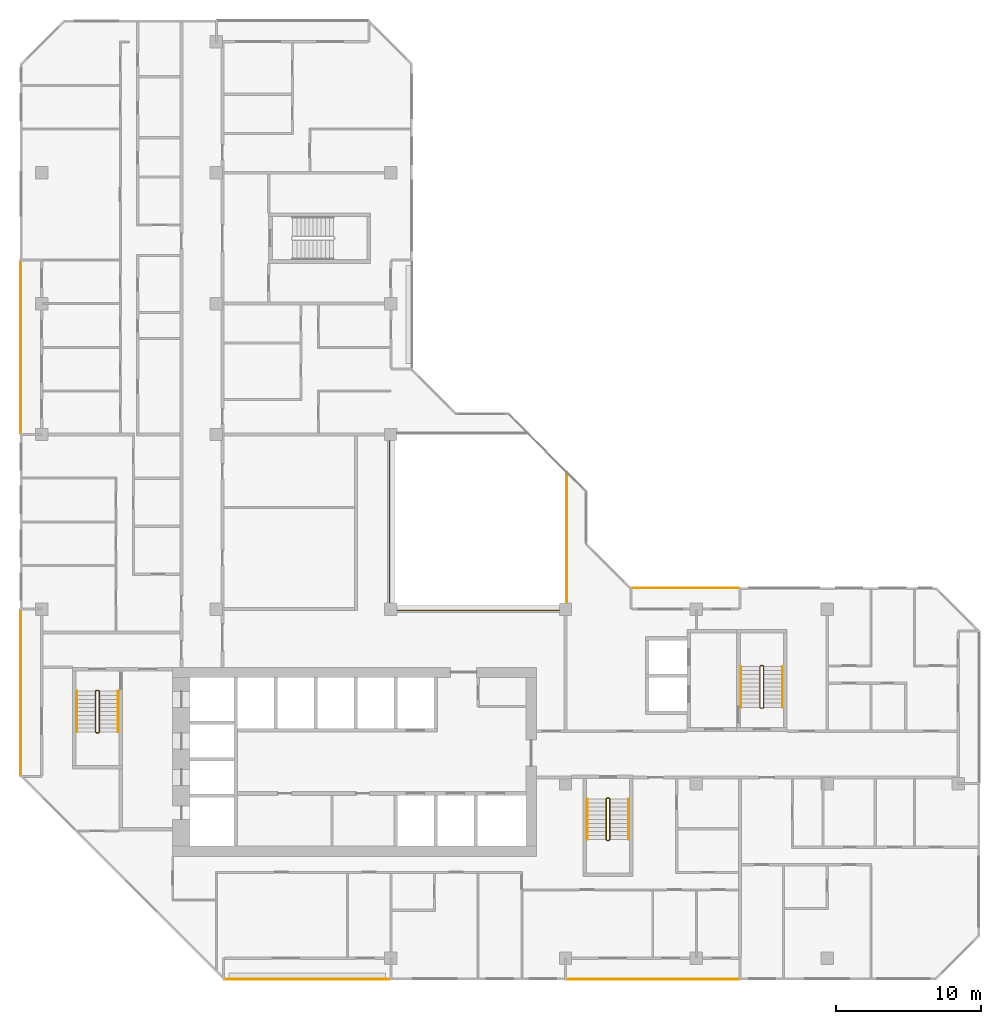
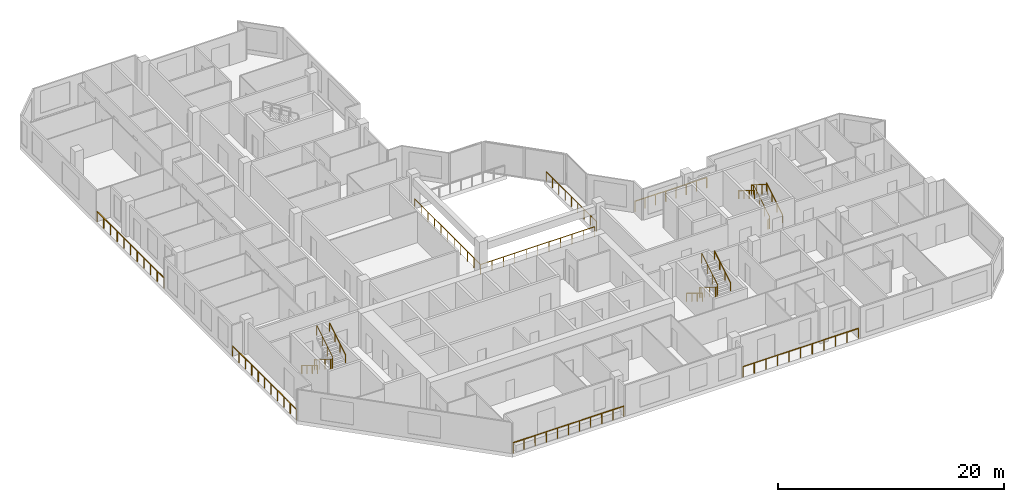
# One storey, part 14 of 15: 16 railings.
"""IFC4 building model written with IfcOpenShell, lengths in metres."""

from ifc_helpers import new_model, si_unit, direction, frame, origin, origin_2d, place, context, subcontext, project, spatial, rectangle, extrude, material, type_object, element, save


model = new_model("IFC4")

# Units and contexts
model_context = context("Model", 3, precision=1e-05, world=origin(), true_north=direction((0.0, 1.0)))
body_context = subcontext(model_context, "Body", "Model", "MODEL_VIEW")
ifc_project = project(units=[si_unit("LENGTHUNIT", "METRE"), si_unit("AREAUNIT", "SQUARE_METRE"), si_unit("VOLUMEUNIT", "CUBIC_METRE"), si_unit("PLANEANGLEUNIT", "RADIAN"), si_unit("MASSUNIT", "GRAM", prefix="KILO")], contexts=[model_context])

# Site, building, storey
site_placement = place(None, origin())
site = spatial("IfcSite", under=ifc_project, at=site_placement, CompositionType="ELEMENT")
building_placement = place(site_placement, origin())
building = spatial("IfcBuilding", under=site, at=building_placement, Name="Chenar Terraces", CompositionType="ELEMENT")
storey_placement = place(building_placement, frame((0.0, 0.0, 249.14990234375)))
storey = spatial("IfcBuildingStorey", under=building, at=storey_placement, Name="L59", CompositionType="ELEMENT", Elevation=249.14990234375)

# Railings
ifc_material_1 = material(Name="Powder-coated steel", Category="steel")
railing_type_1 = type_object("IfcRailingType", Name="Guard 1100 steel rail with glass infill", PredefinedType="GUARDRAIL", material=ifc_material_1)
railing_1_placement = place(storey_placement, frame((23.89990234375, 35.574951171875, 0.0)))
element("IfcRailing", 1, at=railing_1_placement, inside=storey, type_object=railing_type_1, Name="Guard L59-1", PredefinedType="GUARDRAIL", context=body_context, shape_type="SweptSolid", body=[
    extrude(rectangle(XDim=0.06005859375, YDim=0.06005859375, at=origin_2d()), frame((0.0, 0.0, 1.070068359375), z_axis=(0.0, -1.0, 0.0), x_axis=(1.0, 0.0, 0.0)), (0.0, 0.0, 1.0), 11.675048828125),
    extrude(rectangle(XDim=0.06005859375, YDim=0.06005859375, at=origin_2d()), frame((0.0, -11.675048828125, 1.070068359375), z_axis=(1.0, 0.0, 0.0), x_axis=(0.0, 1.0, 0.0)), (0.0, 0.0, 1.0), 11.675048828125),
    extrude(rectangle(XDim=0.050048828125, YDim=0.050048828125, at=origin_2d()), origin(), (0.0, 0.0, 1.0), 1.0400390625),
    extrude(rectangle(XDim=0.050048828125, YDim=0.050048828125, at=origin_2d()), frame((0.0, -1.16748046875, 0.0)), (0.0, 0.0, 1.0), 1.0400390625),
    extrude(rectangle(XDim=0.050048828125, YDim=0.050048828125, at=origin_2d()), frame((0.0, -2.3349609375, 0.0)), (0.0, 0.0, 1.0), 1.0400390625),
    extrude(rectangle(XDim=0.050048828125, YDim=0.050048828125, at=origin_2d()), frame((0.0, -3.50244140625, 0.0)), (0.0, 0.0, 1.0), 1.0400390625),
    extrude(rectangle(XDim=0.050048828125, YDim=0.050048828125, at=origin_2d()), frame((0.0, -4.669921875, 0.0)), (0.0, 0.0, 1.0), 1.0400390625),
    extrude(rectangle(XDim=0.050048828125, YDim=0.050048828125, at=origin_2d()), frame((0.0, -5.83740234375, 0.0)), (0.0, 0.0, 1.0), 1.0400390625),
    extrude(rectangle(XDim=0.050048828125, YDim=0.050048828125, at=origin_2d()), frame((0.0, -7.005126953125, 0.0)), (0.0, 0.0, 1.0), 1.0400390625),
    extrude(rectangle(XDim=0.050048828125, YDim=0.050048828125, at=origin_2d()), frame((0.0, -8.172607421875, 0.0)), (0.0, 0.0, 1.0), 1.0400390625),
    extrude(rectangle(XDim=0.050048828125, YDim=0.050048828125, at=origin_2d()), frame((0.0, -9.340087890625, 0.0)), (0.0, 0.0, 1.0), 1.0400390625),
    extrude(rectangle(XDim=0.050048828125, YDim=0.050048828125, at=origin_2d()), frame((0.0, -10.507568359375, 0.0)), (0.0, 0.0, 1.0), 1.0400390625),
    extrude(rectangle(XDim=0.050048828125, YDim=0.050048828125, at=origin_2d()), frame((0.0, -11.675048828125, 0.0)), (0.0, 0.0, 1.0), 1.0400390625),
    extrude(rectangle(XDim=0.050048828125, YDim=0.050048828125, at=origin_2d()), frame((1.16748046875, -11.675048828125, 0.0)), (0.0, 0.0, 1.0), 1.0400390625),
    extrude(rectangle(XDim=0.050048828125, YDim=0.050048828125, at=origin_2d()), frame((2.3349609375, -11.675048828125, 0.0)), (0.0, 0.0, 1.0), 1.0400390625),
    extrude(rectangle(XDim=0.050048828125, YDim=0.050048828125, at=origin_2d()), frame((3.50244140625, -11.675048828125, 0.0)), (0.0, 0.0, 1.0), 1.0400390625),
    extrude(rectangle(XDim=0.050048828125, YDim=0.050048828125, at=origin_2d()), frame((4.669921875, -11.675048828125, 0.0)), (0.0, 0.0, 1.0), 1.0400390625),
    extrude(rectangle(XDim=0.050048828125, YDim=0.050048828125, at=origin_2d()), frame((5.83740234375, -11.675048828125, 0.0)), (0.0, 0.0, 1.0), 1.0400390625),
    extrude(rectangle(XDim=0.050048828125, YDim=0.050048828125, at=origin_2d()), frame((7.005126953125, -11.675048828125, 0.0)), (0.0, 0.0, 1.0), 1.0400390625),
    extrude(rectangle(XDim=0.050048828125, YDim=0.050048828125, at=origin_2d()), frame((8.172607421875, -11.675048828125, 0.0)), (0.0, 0.0, 1.0), 1.0400390625),
    extrude(rectangle(XDim=0.050048828125, YDim=0.050048828125, at=origin_2d()), frame((9.340087890625, -11.675048828125, 0.0)), (0.0, 0.0, 1.0), 1.0400390625),
    extrude(rectangle(XDim=0.050048828125, YDim=0.050048828125, at=origin_2d()), frame((10.507568359375, -11.675048828125, 0.0)), (0.0, 0.0, 1.0), 1.0400390625),
    extrude(rectangle(XDim=0.050048828125, YDim=0.050048828125, at=origin_2d()), frame((11.675048828125, -11.675048828125, 0.0)), (0.0, 0.0, 1.0), 1.0400390625),
])
railing_2_placement = place(storey_placement, frame((36.10009765625, 24.47509765625, 0.0)))
element("IfcRailing", 2, at=railing_2_placement, inside=storey, type_object=railing_type_1, Name="Guard L59-3", PredefinedType="GUARDRAIL", context=body_context, shape_type="SweptSolid", body=[
    extrude(rectangle(XDim=0.06005859375, YDim=0.06005859375, at=origin_2d()), frame((0.0, 0.0, 1.070068359375), z_axis=(0.0, 1.0, 0.0), x_axis=(-1.0, 0.0, 0.0)), (0.0, 0.0, 1.0), 8.9248046875),
    extrude(rectangle(XDim=0.050048828125, YDim=0.050048828125, at=origin_2d()), origin(), (0.0, 0.0, 1.0), 1.0400390625),
    extrude(rectangle(XDim=0.050048828125, YDim=0.050048828125, at=origin_2d()), frame((0.0, 1.11572265625, 0.0)), (0.0, 0.0, 1.0), 1.0400390625),
    extrude(rectangle(XDim=0.050048828125, YDim=0.050048828125, at=origin_2d()), frame((0.0, 2.231201171875, 0.0)), (0.0, 0.0, 1.0), 1.0400390625),
    extrude(rectangle(XDim=0.050048828125, YDim=0.050048828125, at=origin_2d()), frame((0.0, 3.3466796875, 0.0)), (0.0, 0.0, 1.0), 1.0400390625),
    extrude(rectangle(XDim=0.050048828125, YDim=0.050048828125, at=origin_2d()), frame((0.0, 4.46240234375, 0.0)), (0.0, 0.0, 1.0), 1.0400390625),
    extrude(rectangle(XDim=0.050048828125, YDim=0.050048828125, at=origin_2d()), frame((0.0, 5.578125, 0.0)), (0.0, 0.0, 1.0), 1.0400390625),
    extrude(rectangle(XDim=0.050048828125, YDim=0.050048828125, at=origin_2d()), frame((0.0, 6.693603515625, 0.0)), (0.0, 0.0, 1.0), 1.0400390625),
    extrude(rectangle(XDim=0.050048828125, YDim=0.050048828125, at=origin_2d()), frame((0.0, 7.80908203125, 0.0)), (0.0, 0.0, 1.0), 1.0400390625),
    extrude(rectangle(XDim=0.050048828125, YDim=0.050048828125, at=origin_2d()), frame((0.0, 8.9248046875, 0.0)), (0.0, 0.0, 1.0), 1.0400390625),
])
ifc_material_2 = material(Name="Stainless steel and glass", Category="steel")
railing_type_2 = type_object("IfcRailingType", Name="Loggia guard 1150", PredefinedType="GUARDRAIL", material=ifc_material_2)
railing_3_placement = place(storey_placement, frame((47.925048828125, 25.449951171875, 0.0)))
element("IfcRailing", 3, at=railing_3_placement, inside=storey, type_object=railing_type_2, Name="Loggia guard", PredefinedType="GUARDRAIL", context=body_context, shape_type="SweptSolid", body=[
    extrude(rectangle(XDim=0.048095703125, YDim=0.048095703125, at=origin_2d()), frame((0.0, 0.0, 1.1259765625), z_axis=(-1.0, 0.0, 0.0), x_axis=(0.0, -1.0, 0.0)), (0.0, 0.0, 1.0), 7.35009765625),
    extrude(rectangle(XDim=0.0419921875, YDim=0.0419921875, at=origin_2d()), origin(), (0.0, 0.0, 1.0), 1.101806640625),
    extrude(rectangle(XDim=0.0419921875, YDim=0.0419921875, at=origin_2d()), frame((-1.050048828125, 0.0, 0.0)), (0.0, 0.0, 1.0), 1.101806640625),
    extrude(rectangle(XDim=0.0419921875, YDim=0.0419921875, at=origin_2d()), frame((-2.10009765625, 0.0, 0.0)), (0.0, 0.0, 1.0), 1.101806640625),
    extrude(rectangle(XDim=0.0419921875, YDim=0.0419921875, at=origin_2d()), frame((-3.150146484375, 0.0, 0.0)), (0.0, 0.0, 1.0), 1.101806640625),
    extrude(rectangle(XDim=0.0419921875, YDim=0.0419921875, at=origin_2d()), frame((-4.199951171875, 0.0, 0.0)), (0.0, 0.0, 1.0), 1.101806640625),
    extrude(rectangle(XDim=0.0419921875, YDim=0.0419921875, at=origin_2d()), frame((-5.25, 0.0, 0.0)), (0.0, 0.0, 1.0), 1.101806640625),
    extrude(rectangle(XDim=0.0419921875, YDim=0.0419921875, at=origin_2d()), frame((-6.300048828125, 0.0, 0.0)), (0.0, 0.0, 1.0), 1.101806640625),
    extrude(rectangle(XDim=0.0419921875, YDim=0.0419921875, at=origin_2d()), frame((-7.35009765625, 0.0, 0.0)), (0.0, 0.0, 1.0), 1.101806640625),
])
railing_4_placement = place(storey_placement, frame((12.574951171875, -1.449951171875, 0.0)))
element("IfcRailing", 4, at=railing_4_placement, inside=storey, type_object=railing_type_2, Name="Loggia guard", PredefinedType="GUARDRAIL", context=body_context, shape_type="SweptSolid", body=[
    extrude(rectangle(XDim=0.048095703125, YDim=0.048095703125, at=origin_2d()), frame((0.0, 0.0, 1.1259765625), z_axis=(1.0, 0.0, 0.0), x_axis=(0.0, 1.0, 0.0)), (0.0, 0.0, 1.0), 11.35009765625),
    extrude(rectangle(XDim=0.0419921875, YDim=0.0419921875, at=origin_2d()), origin(), (0.0, 0.0, 1.0), 1.101806640625),
    extrude(rectangle(XDim=0.0419921875, YDim=0.0419921875, at=origin_2d()), frame((1.135009765625, 0.0, 0.0)), (0.0, 0.0, 1.0), 1.101806640625),
    extrude(rectangle(XDim=0.0419921875, YDim=0.0419921875, at=origin_2d()), frame((2.27001953125, 0.0, 0.0)), (0.0, 0.0, 1.0), 1.101806640625),
    extrude(rectangle(XDim=0.0419921875, YDim=0.0419921875, at=origin_2d()), frame((3.405029296875, 0.0, 0.0)), (0.0, 0.0, 1.0), 1.101806640625),
    extrude(rectangle(XDim=0.0419921875, YDim=0.0419921875, at=origin_2d()), frame((4.5400390625, 0.0, 0.0)), (0.0, 0.0, 1.0), 1.101806640625),
    extrude(rectangle(XDim=0.0419921875, YDim=0.0419921875, at=origin_2d()), frame((5.675048828125, 0.0, 0.0)), (0.0, 0.0, 1.0), 1.101806640625),
    extrude(rectangle(XDim=0.0419921875, YDim=0.0419921875, at=origin_2d()), frame((6.81005859375, 0.0, 0.0)), (0.0, 0.0, 1.0), 1.101806640625),
    extrude(rectangle(XDim=0.0419921875, YDim=0.0419921875, at=origin_2d()), frame((7.945068359375, 0.0, 0.0)), (0.0, 0.0, 1.0), 1.101806640625),
    extrude(rectangle(XDim=0.0419921875, YDim=0.0419921875, at=origin_2d()), frame((9.080078125, 0.0, 0.0)), (0.0, 0.0, 1.0), 1.101806640625),
    extrude(rectangle(XDim=0.0419921875, YDim=0.0419921875, at=origin_2d()), frame((10.215087890625, 0.0, 0.0)), (0.0, 0.0, 1.0), 1.101806640625),
    extrude(rectangle(XDim=0.0419921875, YDim=0.0419921875, at=origin_2d()), frame((11.35009765625, 0.0, 0.0)), (0.0, 0.0, 1.0), 1.101806640625),
])
railing_5_placement = place(storey_placement, frame((36.074951171875, -1.449951171875, 0.0)))
element("IfcRailing", 5, at=railing_5_placement, inside=storey, type_object=railing_type_2, Name="Loggia guard", PredefinedType="GUARDRAIL", context=body_context, shape_type="SweptSolid", body=[
    extrude(rectangle(XDim=0.048095703125, YDim=0.048095703125, at=origin_2d()), frame((0.0, 0.0, 1.1259765625), z_axis=(1.0, 0.0, 0.0), x_axis=(0.0, 1.0, 0.0)), (0.0, 0.0, 1.0), 11.85009765625),
    extrude(rectangle(XDim=0.0419921875, YDim=0.0419921875, at=origin_2d()), origin(), (0.0, 0.0, 1.0), 1.101806640625),
    extrude(rectangle(XDim=0.0419921875, YDim=0.0419921875, at=origin_2d()), frame((1.18505859375, 0.0, 0.0)), (0.0, 0.0, 1.0), 1.101806640625),
    extrude(rectangle(XDim=0.0419921875, YDim=0.0419921875, at=origin_2d()), frame((2.3701171875, 0.0, 0.0)), (0.0, 0.0, 1.0), 1.101806640625),
    extrude(rectangle(XDim=0.0419921875, YDim=0.0419921875, at=origin_2d()), frame((3.554931640625, 0.0, 0.0)), (0.0, 0.0, 1.0), 1.101806640625),
    extrude(rectangle(XDim=0.0419921875, YDim=0.0419921875, at=origin_2d()), frame((4.739990234375, 0.0, 0.0)), (0.0, 0.0, 1.0), 1.101806640625),
    extrude(rectangle(XDim=0.0419921875, YDim=0.0419921875, at=origin_2d()), frame((5.925048828125, 0.0, 0.0)), (0.0, 0.0, 1.0), 1.101806640625),
    extrude(rectangle(XDim=0.0419921875, YDim=0.0419921875, at=origin_2d()), frame((7.110107421875, 0.0, 0.0)), (0.0, 0.0, 1.0), 1.101806640625),
    extrude(rectangle(XDim=0.0419921875, YDim=0.0419921875, at=origin_2d()), frame((8.295166015625, 0.0, 0.0)), (0.0, 0.0, 1.0), 1.101806640625),
    extrude(rectangle(XDim=0.0419921875, YDim=0.0419921875, at=origin_2d()), frame((9.47998046875, 0.0, 0.0)), (0.0, 0.0, 1.0), 1.101806640625),
    extrude(rectangle(XDim=0.0419921875, YDim=0.0419921875, at=origin_2d()), frame((10.6650390625, 0.0, 0.0)), (0.0, 0.0, 1.0), 1.101806640625),
    extrude(rectangle(XDim=0.0419921875, YDim=0.0419921875, at=origin_2d()), frame((11.85009765625, 0.0, 0.0)), (0.0, 0.0, 1.0), 1.101806640625),
])
railing_6_placement = place(storey_placement, frame((-1.449951171875, 47.925048828125, 0.0)))
element("IfcRailing", 6, at=railing_6_placement, inside=storey, type_object=railing_type_2, Name="Loggia guard", PredefinedType="GUARDRAIL", context=body_context, shape_type="SweptSolid", body=[
    extrude(rectangle(XDim=0.048095703125, YDim=0.048095703125, at=origin_2d()), frame((0.0, 0.0, 1.1259765625), z_axis=(0.0, -1.0, 0.0), x_axis=(1.0, 0.0, 0.0)), (0.0, 0.0, 1.0), 11.85009765625),
    extrude(rectangle(XDim=0.0419921875, YDim=0.0419921875, at=origin_2d()), origin(), (0.0, 0.0, 1.0), 1.101806640625),
    extrude(rectangle(XDim=0.0419921875, YDim=0.0419921875, at=origin_2d()), frame((0.0, -1.18505859375, 0.0)), (0.0, 0.0, 1.0), 1.101806640625),
    extrude(rectangle(XDim=0.0419921875, YDim=0.0419921875, at=origin_2d()), frame((0.0, -2.3701171875, 0.0)), (0.0, 0.0, 1.0), 1.101806640625),
    extrude(rectangle(XDim=0.0419921875, YDim=0.0419921875, at=origin_2d()), frame((0.0, -3.554931640625, 0.0)), (0.0, 0.0, 1.0), 1.101806640625),
    extrude(rectangle(XDim=0.0419921875, YDim=0.0419921875, at=origin_2d()), frame((0.0, -4.739990234375, 0.0)), (0.0, 0.0, 1.0), 1.101806640625),
    extrude(rectangle(XDim=0.0419921875, YDim=0.0419921875, at=origin_2d()), frame((0.0, -5.925048828125, 0.0)), (0.0, 0.0, 1.0), 1.101806640625),
    extrude(rectangle(XDim=0.0419921875, YDim=0.0419921875, at=origin_2d()), frame((0.0, -7.110107421875, 0.0)), (0.0, 0.0, 1.0), 1.101806640625),
    extrude(rectangle(XDim=0.0419921875, YDim=0.0419921875, at=origin_2d()), frame((0.0, -8.295166015625, 0.0)), (0.0, 0.0, 1.0), 1.101806640625),
    extrude(rectangle(XDim=0.0419921875, YDim=0.0419921875, at=origin_2d()), frame((0.0, -9.47998046875, 0.0)), (0.0, 0.0, 1.0), 1.101806640625),
    extrude(rectangle(XDim=0.0419921875, YDim=0.0419921875, at=origin_2d()), frame((0.0, -10.6650390625, 0.0)), (0.0, 0.0, 1.0), 1.101806640625),
    extrude(rectangle(XDim=0.0419921875, YDim=0.0419921875, at=origin_2d()), frame((0.0, -11.85009765625, 0.0)), (0.0, 0.0, 1.0), 1.101806640625),
])
railing_7_placement = place(storey_placement, frame((-1.449951171875, 23.925048828125, 0.0)))
element("IfcRailing", 7, at=railing_7_placement, inside=storey, type_object=railing_type_2, Name="Loggia guard", PredefinedType="GUARDRAIL", context=body_context, shape_type="SweptSolid", body=[
    extrude(rectangle(XDim=0.048095703125, YDim=0.048095703125, at=origin_2d()), frame((0.0, 0.0, 1.1259765625), z_axis=(0.0, -1.0, 0.0), x_axis=(1.0, 0.0, 0.0)), (0.0, 0.0, 1.0), 11.35009765625),
    extrude(rectangle(XDim=0.0419921875, YDim=0.0419921875, at=origin_2d()), origin(), (0.0, 0.0, 1.0), 1.101806640625),
    extrude(rectangle(XDim=0.0419921875, YDim=0.0419921875, at=origin_2d()), frame((0.0, -1.135009765625, 0.0)), (0.0, 0.0, 1.0), 1.101806640625),
    extrude(rectangle(XDim=0.0419921875, YDim=0.0419921875, at=origin_2d()), frame((0.0, -2.27001953125, 0.0)), (0.0, 0.0, 1.0), 1.101806640625),
    extrude(rectangle(XDim=0.0419921875, YDim=0.0419921875, at=origin_2d()), frame((0.0, -3.405029296875, 0.0)), (0.0, 0.0, 1.0), 1.101806640625),
    extrude(rectangle(XDim=0.0419921875, YDim=0.0419921875, at=origin_2d()), frame((0.0, -4.5400390625, 0.0)), (0.0, 0.0, 1.0), 1.101806640625),
    extrude(rectangle(XDim=0.0419921875, YDim=0.0419921875, at=origin_2d()), frame((0.0, -5.675048828125, 0.0)), (0.0, 0.0, 1.0), 1.101806640625),
    extrude(rectangle(XDim=0.0419921875, YDim=0.0419921875, at=origin_2d()), frame((0.0, -6.81005859375, 0.0)), (0.0, 0.0, 1.0), 1.101806640625),
    extrude(rectangle(XDim=0.0419921875, YDim=0.0419921875, at=origin_2d()), frame((0.0, -7.945068359375, 0.0)), (0.0, 0.0, 1.0), 1.101806640625),
    extrude(rectangle(XDim=0.0419921875, YDim=0.0419921875, at=origin_2d()), frame((0.0, -9.080078125, 0.0)), (0.0, 0.0, 1.0), 1.101806640625),
    extrude(rectangle(XDim=0.0419921875, YDim=0.0419921875, at=origin_2d()), frame((0.0, -10.215087890625, 0.0)), (0.0, 0.0, 1.0), 1.101806640625),
    extrude(rectangle(XDim=0.0419921875, YDim=0.0419921875, at=origin_2d()), frame((0.0, -11.35009765625, 0.0)), (0.0, 0.0, 1.0), 1.101806640625),
])
ifc_material_3 = material(Name="Powder-coated steel", Category="steel")
railing_type_3 = type_object("IfcRailingType", Name="Stair guard 1100", PredefinedType="GUARDRAIL", material=ifc_material_3)
railing_8_placement = place(storey_placement, frame((3.949951171875, 18.35009765625, 3.75)))
element("IfcRailing", 8, at=railing_8_placement, inside=storey, type_object=railing_type_3, Name="L59 ST1 stair guard 1", PredefinedType="GUARDRAIL", context=body_context, shape_type="SweptSolid", body=[
    extrude(rectangle(XDim=0.048095703125, YDim=0.048095703125, at=origin_2d()), frame((0.0, 0.0, 1.076171875), z_axis=(0.0, -0.854202870247, -0.519939858505), x_axis=(1.0, 0.0, 0.0)), (0.0, 0.0, 1.0), 3.278076171875),
    extrude(rectangle(XDim=0.048095703125, YDim=0.048095703125, at=origin_2d()), frame((0.0, -2.800048828125, -0.62841796875), z_axis=(-0.270899902878, -0.270899902878, -0.923702595667), x_axis=(0.707106781187, -0.707106781187, 0.0)), (0.0, 0.0, 1.0), 0.184814453125),
    extrude(rectangle(XDim=0.048095703125, YDim=0.048095703125, at=origin_2d()), frame((-0.050048828125, -2.85009765625, -0.798828125), z_axis=(-1.0, 0.0, 0.0), x_axis=(0.0, -1.0, 0.0)), (0.0, 0.0, 1.0), 0.14990234375),
    extrude(rectangle(XDim=0.048095703125, YDim=0.048095703125, at=origin_2d()), frame((-0.199951171875, -2.85009765625, -0.798828125), z_axis=(-0.707106781187, 0.707106781187, 0.0), x_axis=(-0.707106781187, -0.707106781187, 0.0)), (0.0, 0.0, 1.0), 0.07080078125),
    extrude(rectangle(XDim=0.048095703125, YDim=0.048095703125, at=origin_2d()), frame((-0.25, -2.800048828125, -0.798828125), z_axis=(0.0, 0.854202870247, -0.519939858505), x_axis=(-1.0, 0.0, 0.0)), (0.0, 0.0, 1.0), 3.278076171875),
    extrude(rectangle(XDim=0.048095703125, YDim=0.048095703125, at=origin_2d()), frame((-0.25, 0.0, -2.50341796875), z_axis=(0.270996696079, 0.269674760976, -0.924032636873), x_axis=(-0.705375805398, 0.708833529934, 0.0)), (0.0, 0.0, 1.0), 0.1845703125),
    extrude(rectangle(XDim=0.048095703125, YDim=0.048095703125, at=origin_2d()), frame((-0.199951171875, 0.0498046875, -2.673828125), z_axis=(1.0, 0.0, 0.0), x_axis=(0.0, 1.0, 0.0)), (0.0, 0.0, 1.0), 0.14990234375),
    extrude(rectangle(XDim=0.0419921875, YDim=0.0419921875, at=origin_2d()), origin(), (0.0, 0.0, 1.0), 1.052001953125),
    extrude(rectangle(XDim=0.0419921875, YDim=0.0419921875, at=origin_2d()), frame((0.0, -0.933349609375, -0.568115234375)), (0.0, 0.0, 1.0), 1.052001953125),
    extrude(rectangle(XDim=0.0419921875, YDim=0.0419921875, at=origin_2d()), frame((0.0, -1.86669921875, -1.13623046875)), (0.0, 0.0, 1.0), 1.052001953125),
    extrude(rectangle(XDim=0.0419921875, YDim=0.0419921875, at=origin_2d()), frame((0.0, -2.800048828125, -1.704345703125)), (0.0, 0.0, 1.0), 1.052001953125),
    extrude(rectangle(XDim=0.0419921875, YDim=0.0419921875, at=origin_2d()), frame((-0.050048828125, -2.85009765625, -1.875)), (0.0, 0.0, 1.0), 1.052001953125),
    extrude(rectangle(XDim=0.0419921875, YDim=0.0419921875, at=origin_2d()), frame((-0.199951171875, -2.85009765625, -1.875)), (0.0, 0.0, 1.0), 1.052001953125),
    extrude(rectangle(XDim=0.0419921875, YDim=0.0419921875, at=origin_2d()), frame((-0.25, -2.800048828125, -1.875)), (0.0, 0.0, 1.0), 1.052001953125),
    extrude(rectangle(XDim=0.0419921875, YDim=0.0419921875, at=origin_2d()), frame((-0.25, -1.86669921875, -2.443115234375)), (0.0, 0.0, 1.0), 1.052001953125),
    extrude(rectangle(XDim=0.0419921875, YDim=0.0419921875, at=origin_2d()), frame((-0.25, -0.933349609375, -3.01123046875)), (0.0, 0.0, 1.0), 1.052001953125),
    extrude(rectangle(XDim=0.0419921875, YDim=0.0419921875, at=origin_2d()), frame((-0.25, 0.0, -3.579345703125)), (0.0, 0.0, 1.0), 1.052001953125),
    extrude(rectangle(XDim=0.0419921875, YDim=0.0419921875, at=origin_2d()), frame((-0.199951171875, 0.0498046875, -3.75)), (0.0, 0.0, 1.0), 1.052001953125),
    extrude(rectangle(XDim=0.0419921875, YDim=0.0419921875, at=origin_2d()), frame((-0.050048828125, 0.0498046875, -3.75)), (0.0, 0.0, 1.0), 1.052001953125),
])
railing_9_placement = place(storey_placement, frame((39.050048828125, 10.949951171875, 3.75)))
element("IfcRailing", 9, at=railing_9_placement, inside=storey, type_object=railing_type_3, Name="L59 ST2 stair guard 1", PredefinedType="GUARDRAIL", context=body_context, shape_type="SweptSolid", body=[
    extrude(rectangle(XDim=0.048095703125, YDim=0.048095703125, at=origin_2d()), frame((0.0, 0.0, 1.076171875), z_axis=(0.0, -0.854202870247, -0.519939858505), x_axis=(1.0, 0.0, 0.0)), (0.0, 0.0, 1.0), 3.278076171875),
    extrude(rectangle(XDim=0.048095703125, YDim=0.048095703125, at=origin_2d()), frame((0.0, -2.800048828125, -0.62841796875), z_axis=(-0.270996696079, -0.269674760976, -0.924032636873), x_axis=(0.705375805398, -0.708833529934, 0.0)), (0.0, 0.0, 1.0), 0.1845703125),
    extrude(rectangle(XDim=0.048095703125, YDim=0.048095703125, at=origin_2d()), frame((-0.050048828125, -2.849853515625, -0.798828125), z_axis=(-1.0, 0.0, 0.0), x_axis=(0.0, -1.0, 0.0)), (0.0, 0.0, 1.0), 0.14990234375),
    extrude(rectangle(XDim=0.048095703125, YDim=0.048095703125, at=origin_2d()), frame((-0.199951171875, -2.849853515625, -0.798828125), z_axis=(-0.708833529934, 0.705375805398, 0.0), x_axis=(-0.705375805398, -0.708833529934, 0.0)), (0.0, 0.0, 1.0), 0.070556640625),
    extrude(rectangle(XDim=0.048095703125, YDim=0.048095703125, at=origin_2d()), frame((-0.25, -2.800048828125, -0.798828125), z_axis=(0.0, 0.854202870247, -0.519939858505), x_axis=(-1.0, 0.0, 0.0)), (0.0, 0.0, 1.0), 3.278076171875),
    extrude(rectangle(XDim=0.048095703125, YDim=0.048095703125, at=origin_2d()), frame((-0.25, 0.0, -2.50341796875), z_axis=(0.270899902878, 0.270899902878, -0.923702595667), x_axis=(-0.707106781187, 0.707106781187, 0.0)), (0.0, 0.0, 1.0), 0.184814453125),
    extrude(rectangle(XDim=0.048095703125, YDim=0.048095703125, at=origin_2d()), frame((-0.199951171875, 0.050048828125, -2.673828125), z_axis=(1.0, 0.0, 0.0), x_axis=(0.0, 1.0, 0.0)), (0.0, 0.0, 1.0), 0.14990234375),
    extrude(rectangle(XDim=0.0419921875, YDim=0.0419921875, at=origin_2d()), origin(), (0.0, 0.0, 1.0), 1.052001953125),
    extrude(rectangle(XDim=0.0419921875, YDim=0.0419921875, at=origin_2d()), frame((0.0, -0.933349609375, -0.568115234375)), (0.0, 0.0, 1.0), 1.052001953125),
    extrude(rectangle(XDim=0.0419921875, YDim=0.0419921875, at=origin_2d()), frame((0.0, -1.86669921875, -1.13623046875)), (0.0, 0.0, 1.0), 1.052001953125),
    extrude(rectangle(XDim=0.0419921875, YDim=0.0419921875, at=origin_2d()), frame((0.0, -2.800048828125, -1.704345703125)), (0.0, 0.0, 1.0), 1.052001953125),
    extrude(rectangle(XDim=0.0419921875, YDim=0.0419921875, at=origin_2d()), frame((-0.050048828125, -2.849853515625, -1.875)), (0.0, 0.0, 1.0), 1.052001953125),
    extrude(rectangle(XDim=0.0419921875, YDim=0.0419921875, at=origin_2d()), frame((-0.199951171875, -2.849853515625, -1.875)), (0.0, 0.0, 1.0), 1.052001953125),
    extrude(rectangle(XDim=0.0419921875, YDim=0.0419921875, at=origin_2d()), frame((-0.25, -2.800048828125, -1.875)), (0.0, 0.0, 1.0), 1.052001953125),
    extrude(rectangle(XDim=0.0419921875, YDim=0.0419921875, at=origin_2d()), frame((-0.25, -1.86669921875, -2.443115234375)), (0.0, 0.0, 1.0), 1.052001953125),
    extrude(rectangle(XDim=0.0419921875, YDim=0.0419921875, at=origin_2d()), frame((-0.25, -0.933349609375, -3.01123046875)), (0.0, 0.0, 1.0), 1.052001953125),
    extrude(rectangle(XDim=0.0419921875, YDim=0.0419921875, at=origin_2d()), frame((-0.25, 0.0, -3.579345703125)), (0.0, 0.0, 1.0), 1.052001953125),
    extrude(rectangle(XDim=0.0419921875, YDim=0.0419921875, at=origin_2d()), frame((-0.199951171875, 0.050048828125, -3.75)), (0.0, 0.0, 1.0), 1.052001953125),
    extrude(rectangle(XDim=0.0419921875, YDim=0.0419921875, at=origin_2d()), frame((-0.050048828125, 0.050048828125, -3.75)), (0.0, 0.0, 1.0), 1.052001953125),
])
railing_10_placement = place(storey_placement, frame((49.375, 17.25, 3.75)))
element("IfcRailing", 10, at=railing_10_placement, inside=storey, type_object=railing_type_3, Name="L59 ST3 stair guard 1", PredefinedType="GUARDRAIL", context=body_context, shape_type="SweptSolid", body=[
    extrude(rectangle(XDim=0.048095703125, YDim=0.048095703125, at=origin_2d()), frame((0.0, 0.0, 1.076171875), z_axis=(0.0, 0.854202870247, -0.519939858505), x_axis=(-1.0, 0.0, 0.0)), (0.0, 0.0, 1.0), 3.278076171875),
    extrude(rectangle(XDim=0.048095703125, YDim=0.048095703125, at=origin_2d()), frame((0.0, 2.800048828125, -0.62841796875), z_axis=(0.270899902878, 0.270899902878, -0.923702595667), x_axis=(-0.707106781187, 0.707106781187, 0.0)), (0.0, 0.0, 1.0), 0.184814453125),
    extrude(rectangle(XDim=0.048095703125, YDim=0.048095703125, at=origin_2d()), frame((0.050048828125, 2.85009765625, -0.798828125), z_axis=(1.0, 0.0, 0.0), x_axis=(0.0, 1.0, 0.0)), (0.0, 0.0, 1.0), 0.14990234375),
    extrude(rectangle(XDim=0.048095703125, YDim=0.048095703125, at=origin_2d()), frame((0.199951171875, 2.85009765625, -0.798828125), z_axis=(0.707106781187, -0.707106781187, 0.0), x_axis=(0.707106781187, 0.707106781187, 0.0)), (0.0, 0.0, 1.0), 0.07080078125),
    extrude(rectangle(XDim=0.048095703125, YDim=0.048095703125, at=origin_2d()), frame((0.25, 2.800048828125, -0.798828125), z_axis=(0.0, -0.854202870247, -0.519939858505), x_axis=(1.0, 0.0, 0.0)), (0.0, 0.0, 1.0), 3.278076171875),
    extrude(rectangle(XDim=0.048095703125, YDim=0.048095703125, at=origin_2d()), frame((0.25, 0.0, -2.50341796875), z_axis=(-0.270899902878, -0.270899902878, -0.923702595667), x_axis=(0.707106781187, -0.707106781187, 0.0)), (0.0, 0.0, 1.0), 0.184814453125),
    extrude(rectangle(XDim=0.048095703125, YDim=0.048095703125, at=origin_2d()), frame((0.199951171875, -0.050048828125, -2.673828125), z_axis=(-1.0, 0.0, 0.0), x_axis=(0.0, -1.0, 0.0)), (0.0, 0.0, 1.0), 0.14990234375),
    extrude(rectangle(XDim=0.0419921875, YDim=0.0419921875, at=origin_2d()), origin(), (0.0, 0.0, 1.0), 1.052001953125),
    extrude(rectangle(XDim=0.0419921875, YDim=0.0419921875, at=origin_2d()), frame((0.0, 0.933349609375, -0.568115234375)), (0.0, 0.0, 1.0), 1.052001953125),
    extrude(rectangle(XDim=0.0419921875, YDim=0.0419921875, at=origin_2d()), frame((0.0, 1.86669921875, -1.13623046875)), (0.0, 0.0, 1.0), 1.052001953125),
    extrude(rectangle(XDim=0.0419921875, YDim=0.0419921875, at=origin_2d()), frame((0.0, 2.800048828125, -1.704345703125)), (0.0, 0.0, 1.0), 1.052001953125),
    extrude(rectangle(XDim=0.0419921875, YDim=0.0419921875, at=origin_2d()), frame((0.050048828125, 2.85009765625, -1.875)), (0.0, 0.0, 1.0), 1.052001953125),
    extrude(rectangle(XDim=0.0419921875, YDim=0.0419921875, at=origin_2d()), frame((0.199951171875, 2.85009765625, -1.875)), (0.0, 0.0, 1.0), 1.052001953125),
    extrude(rectangle(XDim=0.0419921875, YDim=0.0419921875, at=origin_2d()), frame((0.25, 2.800048828125, -1.875)), (0.0, 0.0, 1.0), 1.052001953125),
    extrude(rectangle(XDim=0.0419921875, YDim=0.0419921875, at=origin_2d()), frame((0.25, 1.86669921875, -2.443115234375)), (0.0, 0.0, 1.0), 1.052001953125),
    extrude(rectangle(XDim=0.0419921875, YDim=0.0419921875, at=origin_2d()), frame((0.25, 0.933349609375, -3.01123046875)), (0.0, 0.0, 1.0), 1.052001953125),
    extrude(rectangle(XDim=0.0419921875, YDim=0.0419921875, at=origin_2d()), frame((0.25, 0.0, -3.579345703125)), (0.0, 0.0, 1.0), 1.052001953125),
    extrude(rectangle(XDim=0.0419921875, YDim=0.0419921875, at=origin_2d()), frame((0.199951171875, -0.050048828125, -3.75)), (0.0, 0.0, 1.0), 1.052001953125),
    extrude(rectangle(XDim=0.0419921875, YDim=0.0419921875, at=origin_2d()), frame((0.050048828125, -0.050048828125, -3.75)), (0.0, 0.0, 1.0), 1.052001953125),
])
ifc_material_4 = material(Name="Powder-coated steel", Category="steel")
railing_type_4 = type_object("IfcRailingType", Name="Stair handrail 900", PredefinedType="HANDRAIL", material=ifc_material_4)
railing_11_placement = place(storey_placement, frame((2.39990234375, 18.35009765625, 0.170654296875)))
element("IfcRailing", 11, at=railing_11_placement, inside=storey, type_object=railing_type_4, Name="L59 ST1 stair handrail 1", PredefinedType="HANDRAIL", context=body_context, shape_type="SweptSolid", body=[
    extrude(rectangle(XDim=0.048095703125, YDim=0.048095703125, at=origin_2d()), frame((0.0, 0.0, 0.8759765625), z_axis=(0.0, -0.854202870247, 0.519939858505), x_axis=(1.0, 0.0, 0.0)), (0.0, 0.0, 1.0), 3.278076171875),
    extrude(rectangle(XDim=0.0419921875, YDim=0.0419921875, at=origin_2d()), origin(), (0.0, 0.0, 1.0), 0.851806640625),
    extrude(rectangle(XDim=0.0419921875, YDim=0.0419921875, at=origin_2d()), frame((0.0, -0.933349609375, 0.568115234375)), (0.0, 0.0, 1.0), 0.851806640625),
    extrude(rectangle(XDim=0.0419921875, YDim=0.0419921875, at=origin_2d()), frame((0.0, -1.86669921875, 1.13623046875)), (0.0, 0.0, 1.0), 0.851806640625),
    extrude(rectangle(XDim=0.0419921875, YDim=0.0419921875, at=origin_2d()), frame((0.0, -2.800048828125, 1.704345703125)), (0.0, 0.0, 1.0), 0.851806640625),
])
railing_12_placement = place(storey_placement, frame((5.25, 15.550048828125, 2.045654296875)))
element("IfcRailing", 12, at=railing_12_placement, inside=storey, type_object=railing_type_4, Name="L59 ST1 stair handrail 2", PredefinedType="HANDRAIL", context=body_context, shape_type="SweptSolid", body=[
    extrude(rectangle(XDim=0.048095703125, YDim=0.048095703125, at=origin_2d()), frame((0.0, 0.0, 0.8759765625), z_axis=(0.0, 0.854202870247, 0.519939858505), x_axis=(-1.0, 0.0, 0.0)), (0.0, 0.0, 1.0), 3.278076171875),
    extrude(rectangle(XDim=0.0419921875, YDim=0.0419921875, at=origin_2d()), origin(), (0.0, 0.0, 1.0), 0.851806640625),
    extrude(rectangle(XDim=0.0419921875, YDim=0.0419921875, at=origin_2d()), frame((0.0, 0.933349609375, 0.568115234375)), (0.0, 0.0, 1.0), 0.851806640625),
    extrude(rectangle(XDim=0.0419921875, YDim=0.0419921875, at=origin_2d()), frame((0.0, 1.86669921875, 1.13623046875)), (0.0, 0.0, 1.0), 0.851806640625),
    extrude(rectangle(XDim=0.0419921875, YDim=0.0419921875, at=origin_2d()), frame((0.0, 2.800048828125, 1.704345703125)), (0.0, 0.0, 1.0), 0.851806640625),
])
railing_13_placement = place(storey_placement, frame((37.5, 10.949951171875, 0.170654296875)))
element("IfcRailing", 13, at=railing_13_placement, inside=storey, type_object=railing_type_4, Name="L59 ST2 stair handrail 1", PredefinedType="HANDRAIL", context=body_context, shape_type="SweptSolid", body=[
    extrude(rectangle(XDim=0.048095703125, YDim=0.048095703125, at=origin_2d()), frame((0.0, 0.0, 0.8759765625), z_axis=(0.0, -0.854202870247, 0.519939858505), x_axis=(1.0, 0.0, 0.0)), (0.0, 0.0, 1.0), 3.278076171875),
    extrude(rectangle(XDim=0.0419921875, YDim=0.0419921875, at=origin_2d()), origin(), (0.0, 0.0, 1.0), 0.851806640625),
    extrude(rectangle(XDim=0.0419921875, YDim=0.0419921875, at=origin_2d()), frame((0.0, -0.933349609375, 0.568115234375)), (0.0, 0.0, 1.0), 0.851806640625),
    extrude(rectangle(XDim=0.0419921875, YDim=0.0419921875, at=origin_2d()), frame((0.0, -1.86669921875, 1.13623046875)), (0.0, 0.0, 1.0), 0.851806640625),
    extrude(rectangle(XDim=0.0419921875, YDim=0.0419921875, at=origin_2d()), frame((0.0, -2.800048828125, 1.704345703125)), (0.0, 0.0, 1.0), 0.851806640625),
])
for number, where, name in (
    (14, (40.35009765625, 8.14990234375, 2.045654296875), "L59 ST2 stair handrail 2"),
    (15, (50.925048828125, 17.25, 0.170654296875), "L59 ST3 stair handrail 1"),
):
    element("IfcRailing", number, at=place(storey_placement, frame(where)), inside=storey, type_object=railing_type_4, Name=name, PredefinedType="HANDRAIL", context=body_context, shape_type="SweptSolid", body=[
        extrude(rectangle(XDim=0.048095703125, YDim=0.048095703125, at=origin_2d()), frame((0.0, 0.0, 0.8759765625), z_axis=(0.0, 0.854202870247, 0.519939858505), x_axis=(-1.0, 0.0, 0.0)), (0.0, 0.0, 1.0), 3.278076171875),
        extrude(rectangle(XDim=0.0419921875, YDim=0.0419921875, at=origin_2d()), origin(), (0.0, 0.0, 1.0), 0.851806640625),
        extrude(rectangle(XDim=0.0419921875, YDim=0.0419921875, at=origin_2d()), frame((0.0, 0.933349609375, 0.568115234375)), (0.0, 0.0, 1.0), 0.851806640625),
        extrude(rectangle(XDim=0.0419921875, YDim=0.0419921875, at=origin_2d()), frame((0.0, 1.86669921875, 1.13623046875)), (0.0, 0.0, 1.0), 0.851806640625),
        extrude(rectangle(XDim=0.0419921875, YDim=0.0419921875, at=origin_2d()), frame((0.0, 2.800048828125, 1.704345703125)), (0.0, 0.0, 1.0), 0.851806640625),
    ])
railing_14_placement = place(storey_placement, frame((48.074951171875, 20.050048828125, 2.045654296875)))
element("IfcRailing", 16, at=railing_14_placement, inside=storey, type_object=railing_type_4, Name="L59 ST3 stair handrail 2", PredefinedType="HANDRAIL", context=body_context, shape_type="SweptSolid", body=[
    extrude(rectangle(XDim=0.048095703125, YDim=0.048095703125, at=origin_2d()), frame((0.0, 0.0, 0.8759765625), z_axis=(0.0, -0.854202870247, 0.519939858505), x_axis=(1.0, 0.0, 0.0)), (0.0, 0.0, 1.0), 3.278076171875),
    extrude(rectangle(XDim=0.0419921875, YDim=0.0419921875, at=origin_2d()), origin(), (0.0, 0.0, 1.0), 0.851806640625),
    extrude(rectangle(XDim=0.0419921875, YDim=0.0419921875, at=origin_2d()), frame((0.0, -0.933349609375, 0.568115234375)), (0.0, 0.0, 1.0), 0.851806640625),
    extrude(rectangle(XDim=0.0419921875, YDim=0.0419921875, at=origin_2d()), frame((0.0, -1.86669921875, 1.13623046875)), (0.0, 0.0, 1.0), 0.851806640625),
    extrude(rectangle(XDim=0.0419921875, YDim=0.0419921875, at=origin_2d()), frame((0.0, -2.800048828125, 1.704345703125)), (0.0, 0.0, 1.0), 0.851806640625),
])

save(model, "model.ifc")
